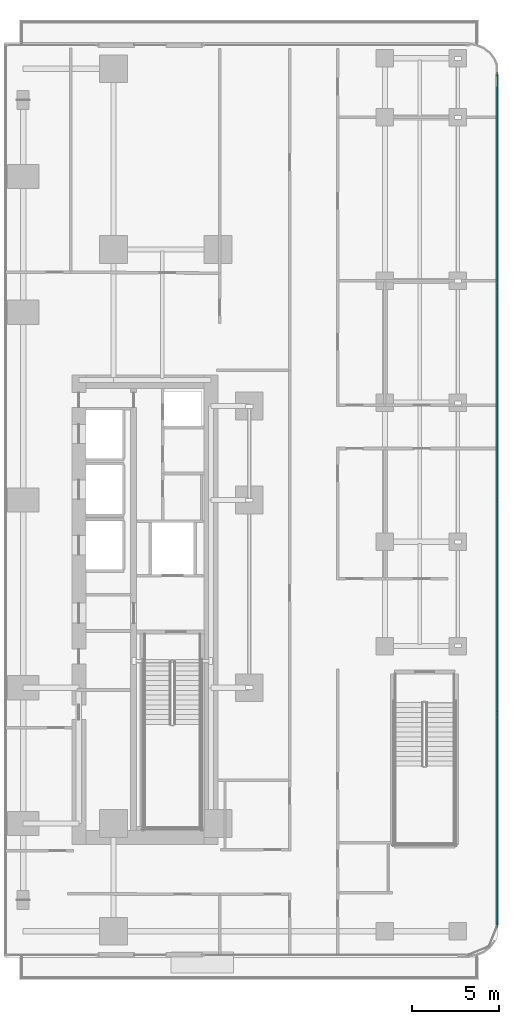
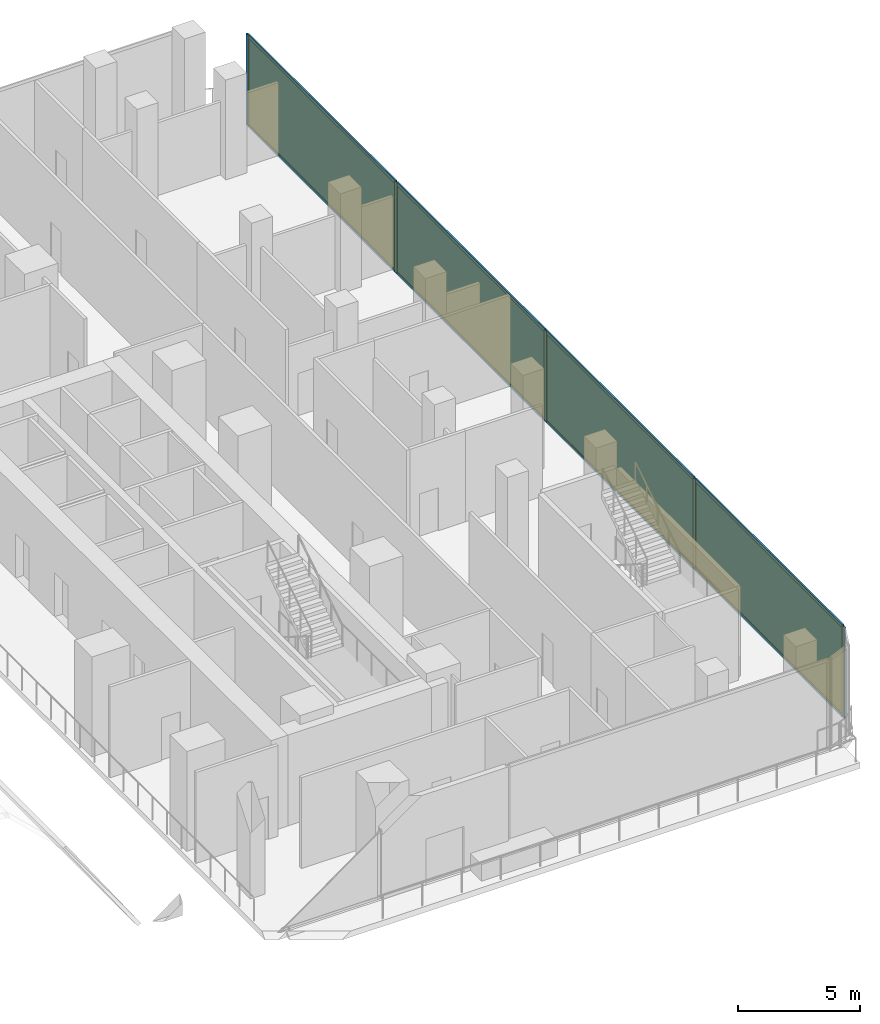
# One storey, part 22 of 32: 13 members, 4 plates, 1 curtain wall.
"""IFC4 building model written with IfcOpenShell, lengths in metres."""

from ifc_helpers import new_model, si_unit, direction, frame, frame_2d, origin, origin_2d, place, context, subcontext, project, spatial, rectangle, extrude, material, layer, layer_set, material_profile, profile_set, type_object, element, aggregate, save


model = new_model("IFC4")

# Units and contexts
model_context = context("Model", 3, precision=1e-05, world=origin(), true_north=direction((0.0, 1.0)))
body_context = subcontext(model_context, "Body", "Model", "MODEL_VIEW")
ifc_project = project(units=[si_unit("LENGTHUNIT", "METRE"), si_unit("AREAUNIT", "SQUARE_METRE"), si_unit("VOLUMEUNIT", "CUBIC_METRE"), si_unit("PLANEANGLEUNIT", "RADIAN"), si_unit("MASSUNIT", "GRAM", prefix="KILO")], contexts=[model_context])

# Member
ifc_material_1 = material(Name="Anodised Bronze Aluminium 6063-T6", Category="aluminium")
ifc_material_profile_1 = material_profile(ifc_material_1, rectangle(XDim=0.074951171875, YDim=0.199951171875, at=origin_2d()))
ifc_profile_set_1 = profile_set([ifc_material_profile_1], Name="Anodised Bronze Aluminium 6063-T6")
member_type_1 = type_object("IfcMemberType", Name="CW-POD Mullion 75x200", PredefinedType="MULLION", material=ifc_profile_set_1)
site_placement = place(None, origin())
building_placement = place(site_placement, origin())
storey_placement = place(building_placement, frame((0.0, 0.0, 16.0)))
member_1_placement = place(storey_placement, frame((36.4599609375, 24.453369140625, 0.0), z_axis=(0.0, 0.0, 1.0), x_axis=(1.0, 0.0, 0.0)))
member_1 = element("IfcMember", 1, at=member_1_placement, type_object=member_type_1, Name="CW-POD mullion 1", PredefinedType="MULLION", context=body_context, shape_type="SweptSolid", body=[
    extrude(rectangle(XDim=0.074951171875, YDim=0.199951171875, at=origin_2d()), origin(), (0.0, 0.0, 1.0), 4.550048828125),
])

member_2_placement = place(storey_placement, frame((36.4599609375, 12.245361328125, 0.0), z_axis=(0.0, 0.0, 1.0), x_axis=(1.0, 0.0, 0.0)))
member_2 = element("IfcMember", 2, at=member_2_placement, type_object=member_type_1, Name="CW-POD mullion 2", PredefinedType="MULLION", context=body_context, shape_type="SweptSolid", body=[
    extrude(rectangle(XDim=0.074951171875, YDim=0.199951171875, at=origin_2d()), origin(), (0.0, 0.0, 1.0), 4.550048828125),
])

member_3_placement = place(storey_placement, frame((36.4599609375, 0.0, 0.0), z_axis=(0.0, 0.0, 1.0), x_axis=(1.0, 0.0, 0.0)))
member_3 = element("IfcMember", 3, at=member_3_placement, type_object=member_type_1, Name="CW-POD mullion 3", PredefinedType="MULLION", context=body_context, shape_type="SweptSolid", body=[
    extrude(rectangle(XDim=0.074951171875, YDim=0.199951171875, at=origin_2d()), origin(), (0.0, 0.0, 1.0), 4.550048828125),
])

member_4_placement = place(storey_placement, frame((36.4599609375, -12.245361328125, 0.0), z_axis=(0.0, 0.0, 1.0), x_axis=(1.0, 0.0, 0.0)))
member_4 = element("IfcMember", 4, at=member_4_placement, type_object=member_type_1, Name="CW-POD mullion 4", PredefinedType="MULLION", context=body_context, shape_type="SweptSolid", body=[
    extrude(rectangle(XDim=0.074951171875, YDim=0.199951171875, at=origin_2d()), origin(), (0.0, 0.0, 1.0), 4.550048828125),
])

member_5_placement = place(storey_placement, frame((36.4599609375, -24.453369140625, 0.0), z_axis=(0.0, 0.0, 1.0), x_axis=(1.0, 0.0, 0.0)))
member_5 = element("IfcMember", 5, at=member_5_placement, type_object=member_type_1, Name="CW-POD mullion 5", PredefinedType="MULLION", context=body_context, shape_type="SweptSolid", body=[
    extrude(rectangle(XDim=0.074951171875, YDim=0.199951171875, at=origin_2d()), origin(), (0.0, 0.0, 1.0), 4.550048828125),
])

ifc_material_2 = material(Name="Anodised Bronze Aluminium 6063-T6", Category="aluminium")
ifc_material_profile_2 = material_profile(ifc_material_2, rectangle(XDim=0.074951171875, YDim=0.159912109375, at=origin_2d()))
ifc_profile_set_2 = profile_set([ifc_material_profile_2], Name="Anodised Bronze Aluminium 6063-T6")
member_type_2 = type_object("IfcMemberType", Name="CW-POD Transom 75x160", PredefinedType="USERDEFINED", material=ifc_profile_set_2)
member_6_placement = place(storey_placement, frame((36.4599609375, 24.415771484375, 0.03759765625), z_axis=(0.0, -1.0, 0.0), x_axis=(1.0, 0.0, 0.0)))
member_6 = element("IfcMember", 6, at=member_6_placement, type_object=member_type_2, Name="CW-POD transom 1.1", ObjectType="TRANSOM", PredefinedType="USERDEFINED", context=body_context, shape_type="SweptSolid", body=[
    extrude(rectangle(XDim=0.074951171875, YDim=0.159912109375, at=origin_2d()), origin(), (0.0, 0.0, 1.0), 12.1328125),
])

member_7_placement = place(storey_placement, frame((36.4599609375, 24.415771484375, 4.512451171875), z_axis=(0.0, -1.0, 0.0), x_axis=(1.0, 0.0, 0.0)))
member_7 = element("IfcMember", 7, at=member_7_placement, type_object=member_type_2, Name="CW-POD transom 1.2", ObjectType="TRANSOM", PredefinedType="USERDEFINED", context=body_context, shape_type="SweptSolid", body=[
    extrude(rectangle(XDim=0.074951171875, YDim=0.159912109375, at=origin_2d()), origin(), (0.0, 0.0, 1.0), 12.1328125),
])

member_8_placement = place(storey_placement, frame((36.4599609375, 12.2080078125, 0.03759765625), z_axis=(0.0, -1.0, 0.0), x_axis=(1.0, 0.0, 0.0)))
member_8 = element("IfcMember", 8, at=member_8_placement, type_object=member_type_2, Name="CW-POD transom 2.1", ObjectType="TRANSOM", PredefinedType="USERDEFINED", context=body_context, shape_type="SweptSolid", body=[
    extrude(rectangle(XDim=0.074951171875, YDim=0.159912109375, at=origin_2d()), origin(), (0.0, 0.0, 1.0), 12.17041015625),
])

member_9_placement = place(storey_placement, frame((36.4599609375, 12.2080078125, 4.512451171875), z_axis=(0.0, -1.0, 0.0), x_axis=(1.0, 0.0, 0.0)))
member_9 = element("IfcMember", 9, at=member_9_placement, type_object=member_type_2, Name="CW-POD transom 2.2", ObjectType="TRANSOM", PredefinedType="USERDEFINED", context=body_context, shape_type="SweptSolid", body=[
    extrude(rectangle(XDim=0.074951171875, YDim=0.159912109375, at=origin_2d()), origin(), (0.0, 0.0, 1.0), 12.17041015625),
])

member_10_placement = place(storey_placement, frame((36.4599609375, -0.03759765625, 0.03759765625), z_axis=(0.0, -1.0, 0.0), x_axis=(1.0, 0.0, 0.0)))
member_10 = element("IfcMember", 10, at=member_10_placement, type_object=member_type_2, Name="CW-POD transom 3.1", ObjectType="TRANSOM", PredefinedType="USERDEFINED", context=body_context, shape_type="SweptSolid", body=[
    extrude(rectangle(XDim=0.074951171875, YDim=0.159912109375, at=origin_2d()), origin(), (0.0, 0.0, 1.0), 12.17041015625),
])

member_11_placement = place(storey_placement, frame((36.4599609375, -0.03759765625, 4.512451171875), z_axis=(0.0, -1.0, 0.0), x_axis=(1.0, 0.0, 0.0)))
member_11 = element("IfcMember", 11, at=member_11_placement, type_object=member_type_2, Name="CW-POD transom 3.2", ObjectType="TRANSOM", PredefinedType="USERDEFINED", context=body_context, shape_type="SweptSolid", body=[
    extrude(rectangle(XDim=0.074951171875, YDim=0.159912109375, at=origin_2d()), origin(), (0.0, 0.0, 1.0), 12.17041015625),
])

member_12_placement = place(storey_placement, frame((36.4599609375, -12.282958984375, 0.03759765625), z_axis=(0.0, -1.0, 0.0), x_axis=(1.0, 0.0, 0.0)))
member_12 = element("IfcMember", 12, at=member_12_placement, type_object=member_type_2, Name="CW-POD transom 4.1", ObjectType="TRANSOM", PredefinedType="USERDEFINED", context=body_context, shape_type="SweptSolid", body=[
    extrude(rectangle(XDim=0.074951171875, YDim=0.159912109375, at=origin_2d()), origin(), (0.0, 0.0, 1.0), 12.1328125),
])

member_13_placement = place(storey_placement, frame((36.4599609375, -12.282958984375, 4.512451171875), z_axis=(0.0, -1.0, 0.0), x_axis=(1.0, 0.0, 0.0)))
member_13 = element("IfcMember", 13, at=member_13_placement, type_object=member_type_2, Name="CW-POD transom 4.2", ObjectType="TRANSOM", PredefinedType="USERDEFINED", context=body_context, shape_type="SweptSolid", body=[
    extrude(rectangle(XDim=0.074951171875, YDim=0.159912109375, at=origin_2d()), origin(), (0.0, 0.0, 1.0), 12.1328125),
])

# Plate
ifc_material_3 = material(Name="Low-E Solar Control Laminated Glass", Category="glass")
ifc_layer_1 = layer(ifc_material_3, 0.031982421875, Name="Low-E Solar Control Laminated Glass")
ifc_layer_set_1 = layer_set([ifc_layer_1], Name="Low-E Solar Control Laminated Glass")
plate_type = type_object("IfcPlateType", Name="CW-POD Low-E Double Glazed Panel 32mm", PredefinedType="CURTAIN_PANEL", material=ifc_layer_set_1)
plate_1_placement = place(storey_placement, frame((36.4599609375, 18.349365234375, 0.074951171875), z_axis=(0.0, 0.0, 1.0), x_axis=(0.0, -1.0, 0.0)))
plate_1 = element("IfcPlate", 14, at=plate_1_placement, type_object=plate_type, Name="CW-POD panel 1.1", PredefinedType="CURTAIN_PANEL", context=body_context, shape_type="SweptSolid", body=[
    extrude(rectangle(XDim=12.1328125, YDim=0.031982421875, at=origin_2d()), origin(), (0.0, 0.0, 1.0), 4.39990234375),
])

plate_2_placement = place(storey_placement, frame((36.4599609375, 6.122802734375, 0.074951171875), z_axis=(0.0, 0.0, 1.0), x_axis=(0.0, -1.0, 0.0)))
plate_2 = element("IfcPlate", 15, at=plate_2_placement, type_object=plate_type, Name="CW-POD panel 2.1", PredefinedType="CURTAIN_PANEL", context=body_context, shape_type="SweptSolid", body=[
    extrude(rectangle(XDim=12.17041015625, YDim=0.031982421875, at=origin_2d()), origin(), (0.0, 0.0, 1.0), 4.39990234375),
])

plate_3_placement = place(storey_placement, frame((36.4599609375, -6.122802734375, 0.074951171875), z_axis=(0.0, 0.0, 1.0), x_axis=(0.0, -1.0, 0.0)))
plate_3 = element("IfcPlate", 16, at=plate_3_placement, type_object=plate_type, Name="CW-POD panel 3.1", PredefinedType="CURTAIN_PANEL", context=body_context, shape_type="SweptSolid", body=[
    extrude(rectangle(XDim=12.17041015625, YDim=0.031982421875, at=origin_2d()), origin(), (0.0, 0.0, 1.0), 4.39990234375),
])

plate_4_placement = place(storey_placement, frame((36.4599609375, -18.349365234375, 0.074951171875), z_axis=(0.0, 0.0, 1.0), x_axis=(0.0, -1.0, 0.0)))
plate_4 = element("IfcPlate", 17, at=plate_4_placement, type_object=plate_type, Name="CW-POD panel 4.1", PredefinedType="CURTAIN_PANEL", context=body_context, shape_type="SweptSolid", body=[
    extrude(rectangle(XDim=12.1328125, YDim=0.031982421875, at=origin_2d()), origin(), (0.0, 0.0, 1.0), 4.39990234375),
])

# Site, building, storey
site = spatial("IfcSite", under=ifc_project, at=site_placement, CompositionType="ELEMENT")
building = spatial("IfcBuilding", under=site, at=building_placement, Name="Khairoan Windgate Tower", CompositionType="ELEMENT")
storey = spatial("IfcBuildingStorey", under=building, at=storey_placement, Name="L04", CompositionType="ELEMENT", Elevation=16.0)

# Curtain wall
ifc_material_4 = material(Name="Anodised Bronze Aluminium 6063-T6", Category="aluminium")
ifc_layer_2 = layer(ifc_material_4, 0.199951171875, Name="Anodised Bronze Aluminium 6063-T6")
ifc_layer_set_2 = layer_set([ifc_layer_2], Name="Anodised Bronze Aluminium 6063-T6")
curtain_wall_type = type_object("IfcCurtainWallType", Name="Podium Arch Galleria Curtain Wall CW-POD", PredefinedType="NOTDEFINED", material=ifc_layer_set_2)
curtain_wall_placement = place(storey_placement, frame((36.4599609375, 24.49072265625, 0.0), z_axis=(0.0, 0.0, 1.0), x_axis=(0.0, -1.0, 0.0)))
curtain_wall = element("IfcCurtainWall", 18, at=curtain_wall_placement, inside=storey, type_object=curtain_wall_type, Name="L04 Stepped Podium Curtain Wall 2.6", PredefinedType="NOTDEFINED", context=body_context, shape_type="SweptSolid", body=[
    extrude(rectangle(XDim=48.9814453125, YDim=0.010009765625, at=frame_2d((24.49072265625, 0.0))), origin(), (0.0, 0.0, 1.0), 4.550048828125),
])

aggregate(curtain_wall, [member_1, member_2, member_3, member_4, member_5, member_6, member_7, plate_1, member_8, member_9, plate_2, member_10, member_11, plate_3, member_12, member_13, plate_4])

save(model, "model.ifc")
